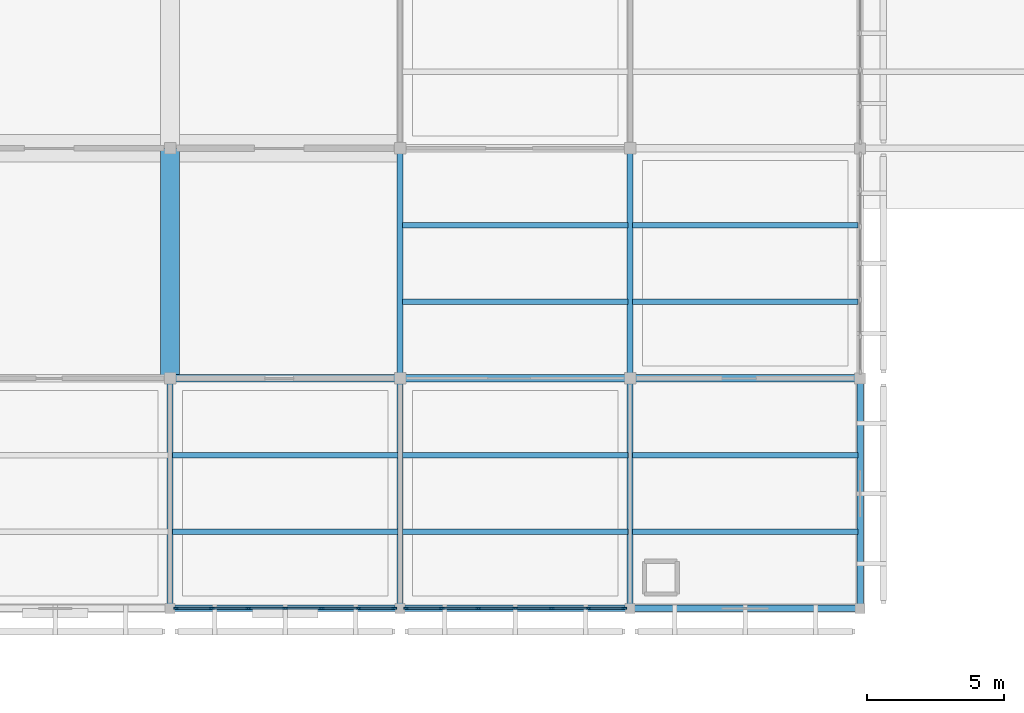
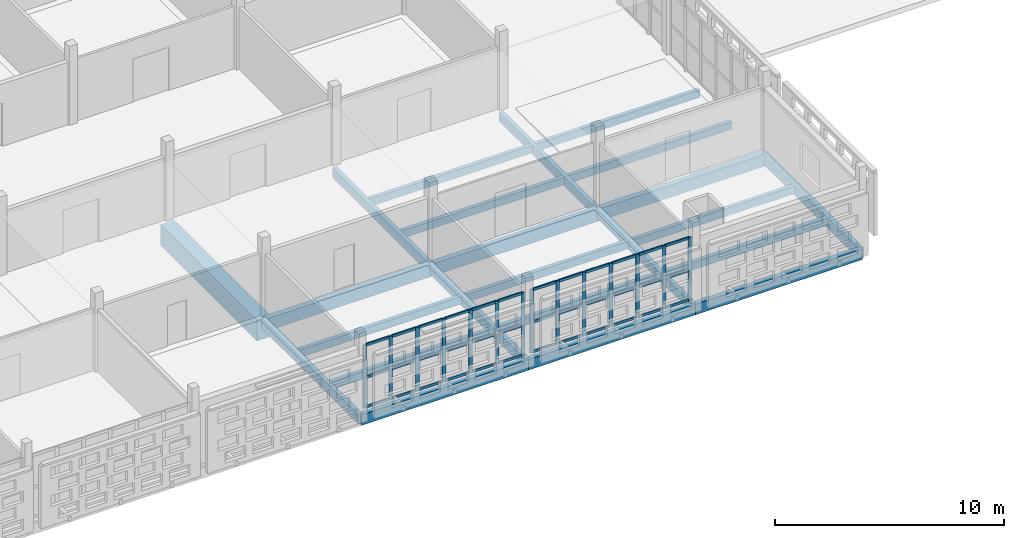
# One storey, part 19 of 166: 50 members, 23 beams, 2 elements without a shape of their own.
"""IFC4 building model written with IfcOpenShell, lengths in metres."""

from ifc_helpers import new_model, si_unit, direction, frame, origin, origin_2d, place, context, subcontext, project, spatial, rectangle, extrude, material, layer, layer_set, material_profile, profile_set, type_object, element, aggregate, save


model = new_model("IFC4")

# Units and contexts
model_context = context("Model", 3, precision=1e-05, world=origin(), true_north=direction((0.0, 1.0)))
body_context = subcontext(model_context, "Body", "Model", "MODEL_VIEW")
ifc_project = project(units=[si_unit("LENGTHUNIT", "METRE"), si_unit("AREAUNIT", "SQUARE_METRE"), si_unit("VOLUMEUNIT", "CUBIC_METRE"), si_unit("PLANEANGLEUNIT", "RADIAN"), si_unit("MASSUNIT", "GRAM", prefix="KILO")], contexts=[model_context])

# Site, building, storey
site_placement = place(None, origin())
site = spatial("IfcSite", under=ifc_project, at=site_placement, CompositionType="ELEMENT")
building_placement = place(site_placement, origin())
building = spatial("IfcBuilding", under=site, at=building_placement, Name="Varnapada Polytechnic", CompositionType="ELEMENT")
storey_placement = place(building_placement, frame((0.0, 0.0, 9.60009765625)))
storey = spatial("IfcBuildingStorey", under=building, at=storey_placement, Name="L02", CompositionType="ELEMENT", Elevation=9.60009765625)

# Beams
ifc_material_1 = material(Name="Concrete C40/50", Category="concrete")
ifc_material_profile_1 = material_profile(ifc_material_1, rectangle(XDim=0.699951171875, YDim=1.10009765625, at=origin_2d()), Name="RC 700x1100")
ifc_profile_set_1 = profile_set([ifc_material_profile_1], Name="Concrete C40/50")
beam_type_1 = type_object("IfcBeamType", Name="Heavy podium primary girder BG-01 (RC 700x1100)", PredefinedType="T_BEAM", material=ifc_profile_set_1)
beam_1_placement = place(storey_placement, frame((33.60009765625, 8.39990234375, -0.800048828125), z_axis=(0.0, 1.0, 0.0), x_axis=(-1.0, 0.0, 0.0)))
element("IfcBeam", 1, at=beam_1_placement, inside=storey, type_object=beam_type_1, Name="L02 Lecture transfer tie Y2-3", PredefinedType="T_BEAM", context=body_context, shape_type="SweptSolid", body=[
    extrude(rectangle(XDim=0.699951171875, YDim=1.10009765625, at=origin_2d()), origin(), (0.0, 0.0, 1.0), 8.400146484375),
])
ifc_material_2 = material(Name="Glulam GL32h", Category="wood")
ifc_material_profile_2 = material_profile(ifc_material_2, rectangle(XDim=0.280029296875, YDim=0.639892578125, at=origin_2d()), Name="GL 280x640")
ifc_profile_set_2 = profile_set([ifc_material_profile_2], Name="Glulam GL32h")
beam_type_2 = type_object("IfcBeamType", Name="Laboratory primary glulam girder GG-02 (GL 280x640)", PredefinedType="BEAM", material=ifc_profile_set_2)
for number, where, z_axis, x_axis, name in (
    (2, (33.60009765625, 8.39990234375, -0.56005859375), (1.0, 0.0, 0.0), (0.0, 1.0, 0.0), "L02 beam X 5-6 at Y2"),
    (3, (42.0, 8.39990234375, -0.56005859375), (1.0, 0.0, 0.0), (0.0, 1.0, 0.0), "L02 beam X 6-7 at Y2"),
):
    element("IfcBeam", number, at=place(storey_placement, frame(where, z_axis=z_axis, x_axis=x_axis)), inside=storey, type_object=beam_type_2, Name=name, PredefinedType="BEAM", context=body_context, shape_type="SweptSolid", body=[
        extrude(rectangle(XDim=0.280029296875, YDim=0.639892578125, at=origin_2d()), origin(), (0.0, 0.0, 1.0), 8.39990234375),
    ])
beam_2_placement = place(storey_placement, frame((50.39990234375, 8.39990234375, -0.56005859375), z_axis=(1.0, 0.0, 0.0), x_axis=(0.0, 1.0, 0.0)))
element("IfcBeam", 4, at=beam_2_placement, inside=storey, type_object=beam_type_2, Name="L02 beam X 7-8 at Y2", PredefinedType="BEAM", context=body_context, shape_type="SweptSolid", body=[
    extrude(rectangle(XDim=0.280029296875, YDim=0.639892578125, at=origin_2d()), origin(), (0.0, 0.0, 1.0), 8.400146484375),
])
ifc_material_profile_3 = material_profile(ifc_material_2, rectangle(XDim=0.219970703125, YDim=0.52001953125, at=origin_2d()), Name="GL 220x520")
ifc_profile_set_3 = profile_set([ifc_material_profile_3], Name="Glulam GL32h")
beam_type_3 = type_object("IfcBeamType", Name="Laboratory transverse glulam beam GB-12 (GL 220x520)", PredefinedType="BEAM", material=ifc_profile_set_3)
for number, where, z_axis, x_axis, name in (
    (5, (33.60009765625, 0.0, -0.5), (0.0, 1.0, 0.0), (-1.0, 0.0, 0.0), "L02 beam Y 1-2 at X5"),
    (6, (42.0, 0.0, -0.5), (0.0, 1.0, 0.0), (-1.0, 0.0, 0.0), "L02 beam Y 1-2 at X6"),
):
    element("IfcBeam", number, at=place(storey_placement, frame(where, z_axis=z_axis, x_axis=x_axis)), inside=storey, type_object=beam_type_3, Name=name, PredefinedType="BEAM", context=body_context, shape_type="SweptSolid", body=[
        extrude(rectangle(XDim=0.219970703125, YDim=0.52001953125, at=origin_2d()), origin(), (0.0, 0.0, 1.0), 8.39990234375),
    ])
beam_3_placement = place(storey_placement, frame((42.0, 8.39990234375, -0.5), z_axis=(0.0, 1.0, 0.0), x_axis=(-1.0, 0.0, 0.0)))
element("IfcBeam", 7, at=beam_3_placement, inside=storey, type_object=beam_type_3, Name="L02 beam Y 2-3 at X6", PredefinedType="BEAM", context=body_context, shape_type="SweptSolid", body=[
    extrude(rectangle(XDim=0.219970703125, YDim=0.52001953125, at=origin_2d()), origin(), (0.0, 0.0, 1.0), 8.400146484375),
])
ifc_material_profile_4 = material_profile(ifc_material_2, rectangle(XDim=0.199951171875, YDim=0.39990234375, at=origin_2d()), Name="GL 200x400")
ifc_profile_set_4 = profile_set([ifc_material_profile_4], Name="Glulam GL32h")
beam_type_4 = type_object("IfcBeamType", Name="Library/laboratory glulam floor joist GJ-01 (GL 200x400)", PredefinedType="JOIST", material=ifc_profile_set_4)
for number, where, z_axis, x_axis, name in (
    (8, (33.679931640625, 2.800048828125, -0.440185546875), (1.0, 0.0, 0.0), (0.0, 1.0, 0.0), "L02 floor joist 5/1.1"),
    (9, (33.679931640625, 5.60009765625, -0.440185546875), (1.0, 0.0, 0.0), (0.0, 1.0, 0.0), "L02 floor joist 5/1.2"),
    (10, (42.080078125, 2.800048828125, -0.440185546875), (1.0, 0.0, 0.0), (0.0, 1.0, 0.0), "L02 floor joist 6/1.1"),
    (11, (42.080078125, 5.60009765625, -0.440185546875), (1.0, 0.0, 0.0), (0.0, 1.0, 0.0), "L02 floor joist 6/1.2"),
    (12, (42.080078125, 11.199951171875, -0.440185546875), (1.0, 0.0, 0.0), (0.0, 1.0, 0.0), "L02 floor joist 6/2.1"),
    (13, (42.080078125, 14.0, -0.440185546875), (1.0, 0.0, 0.0), (0.0, 1.0, 0.0), "L02 floor joist 6/2.2"),
    (14, (50.47998046875, 2.800048828125, -0.440185546875), (1.0, 0.0, 0.0), (0.0, 1.0, 0.0), "L02 floor joist 7/1.1"),
    (15, (50.47998046875, 5.60009765625, -0.440185546875), (1.0, 0.0, 0.0), (0.0, 1.0, 0.0), "L02 floor joist 7/1.2"),
    (16, (50.47998046875, 11.199951171875, -0.440185546875), (1.0, 0.0, 0.0), (0.0, 1.0, 0.0), "L02 floor joist 7/2.1"),
    (17, (50.47998046875, 14.0, -0.440185546875), (1.0, 0.0, 0.0), (0.0, 1.0, 0.0), "L02 floor joist 7/2.2"),
):
    element("IfcBeam", number, at=place(storey_placement, frame(where, z_axis=z_axis, x_axis=x_axis)), inside=storey, type_object=beam_type_4, Name=name, PredefinedType="JOIST", context=body_context, shape_type="SweptSolid", body=[
        extrude(rectangle(XDim=0.199951171875, YDim=0.39990234375, at=origin_2d()), origin(), (0.0, 0.0, 1.0), 8.239990234375),
    ])

# Curtain wall, members
ifc_material_3 = material(Name="Double low-E laminated glass", Category="glass")
ifc_layer = layer(ifc_material_3, 0.179931640625)
ifc_layer_set = layer_set([ifc_layer], Name="Double low-E laminated glass")
curtain_wall_type = type_object("IfcCurtainWallType", Name="Curtain Wall CW-03", PredefinedType="NOTDEFINED", material=ifc_layer_set)
curtain_wall_1_placement = place(storey_placement, origin())
curtain_wall_1 = element("IfcCurtainWall", 18, at=curtain_wall_1_placement, inside=storey, type_object=curtain_wall_type, Name="L02 unitised curtain wall CW-03 (151)", PredefinedType="NOTDEFINED")
ifc_material_4 = material(Name="Anodised aluminium", Category="aluminium")
ifc_material_profile_5 = material_profile(ifc_material_4, rectangle(XDim=0.06494140625, YDim=0.179931640625, at=origin_2d()), Name="ALU M65x180")
ifc_profile_set_5 = profile_set([ifc_material_profile_5], Name="Anodised aluminium")
member_type_1 = type_object("IfcMemberType", Name="Mullion M-02", PredefinedType="MULLION", material=ifc_profile_set_5)
member_1_placement = place(storey_placement, frame((41.78759765625, 0.0, 0.0), z_axis=(0.0, 0.0, 1.0), x_axis=(0.0, -1.0, 0.0)))
member_1 = element("IfcMember", 19, at=member_1_placement, type_object=member_type_1, Name="CW-03 mullion 1", PredefinedType="MULLION", context=body_context, shape_type="SweptSolid", body=[
    extrude(rectangle(XDim=0.06494140625, YDim=0.179931640625, at=origin_2d()), origin(), (0.0, 0.0, 1.0), 3.35986328125),
])
member_2_placement = place(storey_placement, frame((40.47998046875, 0.0, 0.0), z_axis=(0.0, 0.0, 1.0), x_axis=(0.0, -1.0, 0.0)))
member_2 = element("IfcMember", 20, at=member_2_placement, type_object=member_type_1, Name="CW-03 mullion 2", PredefinedType="MULLION", context=body_context, shape_type="SweptSolid", body=[
    extrude(rectangle(XDim=0.06494140625, YDim=0.179931640625, at=origin_2d()), origin(), (0.0, 0.0, 1.0), 3.35986328125),
])
member_3_placement = place(storey_placement, frame((39.139892578125, 0.0, 0.0), z_axis=(0.0, 0.0, 1.0), x_axis=(0.0, -1.0, 0.0)))
member_3 = element("IfcMember", 21, at=member_3_placement, type_object=member_type_1, Name="CW-03 mullion 3", PredefinedType="MULLION", context=body_context, shape_type="SweptSolid", body=[
    extrude(rectangle(XDim=0.06494140625, YDim=0.179931640625, at=origin_2d()), origin(), (0.0, 0.0, 1.0), 3.35986328125),
])
member_4_placement = place(storey_placement, frame((37.800048828125, 0.0, 0.0), z_axis=(0.0, 0.0, 1.0), x_axis=(0.0, -1.0, 0.0)))
member_4 = element("IfcMember", 22, at=member_4_placement, type_object=member_type_1, Name="CW-03 mullion 4", PredefinedType="MULLION", context=body_context, shape_type="SweptSolid", body=[
    extrude(rectangle(XDim=0.06494140625, YDim=0.179931640625, at=origin_2d()), origin(), (0.0, 0.0, 1.0), 3.35986328125),
])
member_5_placement = place(storey_placement, frame((36.4599609375, 0.0, 0.0), z_axis=(0.0, 0.0, 1.0), x_axis=(0.0, -1.0, 0.0)))
member_5 = element("IfcMember", 23, at=member_5_placement, type_object=member_type_1, Name="CW-03 mullion 5", PredefinedType="MULLION", context=body_context, shape_type="SweptSolid", body=[
    extrude(rectangle(XDim=0.06494140625, YDim=0.179931640625, at=origin_2d()), origin(), (0.0, 0.0, 1.0), 3.35986328125),
])
member_6_placement = place(storey_placement, frame((35.1201171875, 0.0, 0.0), z_axis=(0.0, 0.0, 1.0), x_axis=(0.0, -1.0, 0.0)))
member_6 = element("IfcMember", 24, at=member_6_placement, type_object=member_type_1, Name="CW-03 mullion 6", PredefinedType="MULLION", context=body_context, shape_type="SweptSolid", body=[
    extrude(rectangle(XDim=0.06494140625, YDim=0.179931640625, at=origin_2d()), origin(), (0.0, 0.0, 1.0), 3.35986328125),
])
member_7_placement = place(storey_placement, frame((33.8125, 0.0, 0.0), z_axis=(0.0, 0.0, 1.0), x_axis=(0.0, -1.0, 0.0)))
member_7 = element("IfcMember", 25, at=member_7_placement, type_object=member_type_1, Name="CW-03 mullion 7", PredefinedType="MULLION", context=body_context, shape_type="SweptSolid", body=[
    extrude(rectangle(XDim=0.06494140625, YDim=0.179931640625, at=origin_2d()), origin(), (0.0, 0.0, 1.0), 3.35986328125),
])

curtain_wall_2_placement = place(storey_placement, origin())
curtain_wall_2 = element("IfcCurtainWall", 26, at=curtain_wall_2_placement, inside=storey, type_object=curtain_wall_type, Name="L02 unitised curtain wall CW-03 (153)", PredefinedType="NOTDEFINED")
member_8_placement = place(storey_placement, frame((50.1875, 0.0, 0.0), z_axis=(0.0, 0.0, 1.0), x_axis=(0.0, -1.0, 0.0)))
member_8 = element("IfcMember", 27, at=member_8_placement, type_object=member_type_1, Name="CW-03 mullion 1", PredefinedType="MULLION", context=body_context, shape_type="SweptSolid", body=[
    extrude(rectangle(XDim=0.06494140625, YDim=0.179931640625, at=origin_2d()), origin(), (0.0, 0.0, 1.0), 3.35986328125),
])
member_9_placement = place(storey_placement, frame((48.8798828125, 0.0, 0.0), z_axis=(0.0, 0.0, 1.0), x_axis=(0.0, -1.0, 0.0)))
member_9 = element("IfcMember", 28, at=member_9_placement, type_object=member_type_1, Name="CW-03 mullion 2", PredefinedType="MULLION", context=body_context, shape_type="SweptSolid", body=[
    extrude(rectangle(XDim=0.06494140625, YDim=0.179931640625, at=origin_2d()), origin(), (0.0, 0.0, 1.0), 3.35986328125),
])
member_10_placement = place(storey_placement, frame((47.5400390625, 0.0, 0.0), z_axis=(0.0, 0.0, 1.0), x_axis=(0.0, -1.0, 0.0)))
member_10 = element("IfcMember", 29, at=member_10_placement, type_object=member_type_1, Name="CW-03 mullion 3", PredefinedType="MULLION", context=body_context, shape_type="SweptSolid", body=[
    extrude(rectangle(XDim=0.06494140625, YDim=0.179931640625, at=origin_2d()), origin(), (0.0, 0.0, 1.0), 3.35986328125),
])
member_11_placement = place(storey_placement, frame((46.199951171875, 0.0, 0.0), z_axis=(0.0, 0.0, 1.0), x_axis=(0.0, -1.0, 0.0)))
member_11 = element("IfcMember", 30, at=member_11_placement, type_object=member_type_1, Name="CW-03 mullion 4", PredefinedType="MULLION", context=body_context, shape_type="SweptSolid", body=[
    extrude(rectangle(XDim=0.06494140625, YDim=0.179931640625, at=origin_2d()), origin(), (0.0, 0.0, 1.0), 3.35986328125),
])
member_12_placement = place(storey_placement, frame((44.860107421875, 0.0, 0.0), z_axis=(0.0, 0.0, 1.0), x_axis=(0.0, -1.0, 0.0)))
member_12 = element("IfcMember", 31, at=member_12_placement, type_object=member_type_1, Name="CW-03 mullion 5", PredefinedType="MULLION", context=body_context, shape_type="SweptSolid", body=[
    extrude(rectangle(XDim=0.06494140625, YDim=0.179931640625, at=origin_2d()), origin(), (0.0, 0.0, 1.0), 3.35986328125),
])
member_13_placement = place(storey_placement, frame((43.52001953125, 0.0, 0.0), z_axis=(0.0, 0.0, 1.0), x_axis=(0.0, -1.0, 0.0)))
member_13 = element("IfcMember", 32, at=member_13_placement, type_object=member_type_1, Name="CW-03 mullion 6", PredefinedType="MULLION", context=body_context, shape_type="SweptSolid", body=[
    extrude(rectangle(XDim=0.06494140625, YDim=0.179931640625, at=origin_2d()), origin(), (0.0, 0.0, 1.0), 3.35986328125),
])
member_14_placement = place(storey_placement, frame((42.21240234375, 0.0, 0.0), z_axis=(0.0, 0.0, 1.0), x_axis=(0.0, -1.0, 0.0)))
member_14 = element("IfcMember", 33, at=member_14_placement, type_object=member_type_1, Name="CW-03 mullion 7", PredefinedType="MULLION", context=body_context, shape_type="SweptSolid", body=[
    extrude(rectangle(XDim=0.06494140625, YDim=0.179931640625, at=origin_2d()), origin(), (0.0, 0.0, 1.0), 3.35986328125),
])

# Beams
ifc_material_profile_6 = material_profile(ifc_material_2, rectangle(XDim=0.239990234375, YDim=0.56005859375, at=origin_2d()), Name="GL 240x560")
ifc_profile_set_6 = profile_set([ifc_material_profile_6], Name="Glulam GL32h")
beam_type_5 = type_object("IfcBeamType", Name="Perimeter glulam spandrel beam SP-02 (GL 240x560)", PredefinedType="SPANDREL", material=ifc_profile_set_6)
for number, where, z_axis, x_axis, name in (
    (34, (33.60009765625, 0.0, -0.52001953125), (1.0, 0.0, 0.0), (0.0, 1.0, 0.0), "L02 beam X 5-6 at Y1"),
    (35, (42.0, 0.0, -0.52001953125), (1.0, 0.0, 0.0), (0.0, 1.0, 0.0), "L02 beam X 6-7 at Y1"),
):
    element("IfcBeam", number, at=place(storey_placement, frame(where, z_axis=z_axis, x_axis=x_axis)), inside=storey, type_object=beam_type_5, Name=name, PredefinedType="SPANDREL", context=body_context, shape_type="SweptSolid", body=[
        extrude(rectangle(XDim=0.239990234375, YDim=0.56005859375, at=origin_2d()), origin(), (0.0, 0.0, 1.0), 8.39990234375),
    ])
beam_4_placement = place(storey_placement, frame((50.39990234375, 0.0, -0.52001953125), z_axis=(1.0, 0.0, 0.0), x_axis=(0.0, 1.0, 0.0)))
element("IfcBeam", 36, at=beam_4_placement, inside=storey, type_object=beam_type_5, Name="L02 beam X 7-8 at Y1", PredefinedType="SPANDREL", context=body_context, shape_type="SweptSolid", body=[
    extrude(rectangle(XDim=0.239990234375, YDim=0.56005859375, at=origin_2d()), origin(), (0.0, 0.0, 1.0), 8.400146484375),
])
beam_5_placement = place(storey_placement, frame((58.800048828125, 0.0, -0.52001953125), z_axis=(0.0, 1.0, 0.0), x_axis=(-1.0, 0.0, 0.0)))
element("IfcBeam", 37, at=beam_5_placement, inside=storey, type_object=beam_type_5, Name="L02 beam Y 1-2 at X8", PredefinedType="SPANDREL", context=body_context, shape_type="SweptSolid", body=[
    extrude(rectangle(XDim=0.239990234375, YDim=0.56005859375, at=origin_2d()), origin(), (0.0, 0.0, 1.0), 8.39990234375),
])

# Member
ifc_material_profile_7 = material_profile(ifc_material_4, rectangle(XDim=0.06494140625, YDim=0.139892578125, at=origin_2d()), Name="ALU T65x140")
ifc_profile_set_7 = profile_set([ifc_material_profile_7], Name="Anodised aluminium")
member_type_2 = type_object("IfcMemberType", Name="Transom T-02", PredefinedType="USERDEFINED", material=ifc_profile_set_7)
member_15_placement = place(storey_placement, frame((41.7548828125, 0.0, 0.032470703125), z_axis=(-1.0, 0.0, 0.0), x_axis=(0.0, -1.0, 0.0)))
member_15 = element("IfcMember", 38, at=member_15_placement, type_object=member_type_2, Name="CW-03 transom 1.1", ObjectType="TRANSOM", PredefinedType="USERDEFINED", context=body_context, shape_type="SweptSolid", body=[
    extrude(rectangle(XDim=0.06494140625, YDim=0.139892578125, at=origin_2d()), origin(), (0.0, 0.0, 1.0), 1.242431640625),
])

member_16_placement = place(storey_placement, frame((41.7548828125, 0.0, 1.61279296875), z_axis=(-1.0, 0.0, 0.0), x_axis=(0.0, -1.0, 0.0)))
member_16 = element("IfcMember", 39, at=member_16_placement, type_object=member_type_2, Name="CW-03 transom 1.2", ObjectType="TRANSOM", PredefinedType="USERDEFINED", context=body_context, shape_type="SweptSolid", body=[
    extrude(rectangle(XDim=0.06494140625, YDim=0.139892578125, at=origin_2d()), origin(), (0.0, 0.0, 1.0), 1.242431640625),
])

member_17_placement = place(storey_placement, frame((41.7548828125, 0.0, 3.327392578125), z_axis=(-1.0, 0.0, 0.0), x_axis=(0.0, -1.0, 0.0)))
member_17 = element("IfcMember", 40, at=member_17_placement, type_object=member_type_2, Name="CW-03 transom 1.3", ObjectType="TRANSOM", PredefinedType="USERDEFINED", context=body_context, shape_type="SweptSolid", body=[
    extrude(rectangle(XDim=0.06494140625, YDim=0.139892578125, at=origin_2d()), origin(), (0.0, 0.0, 1.0), 1.242431640625),
])

member_18_placement = place(storey_placement, frame((40.447509765625, 0.0, 0.032470703125), z_axis=(-1.0, 0.0, 0.0), x_axis=(0.0, -1.0, 0.0)))
member_18 = element("IfcMember", 41, at=member_18_placement, type_object=member_type_2, Name="CW-03 transom 2.1", ObjectType="TRANSOM", PredefinedType="USERDEFINED", context=body_context, shape_type="SweptSolid", body=[
    extrude(rectangle(XDim=0.06494140625, YDim=0.139892578125, at=origin_2d()), origin(), (0.0, 0.0, 1.0), 1.27490234375),
])

member_19_placement = place(storey_placement, frame((40.447509765625, 0.0, 1.61279296875), z_axis=(-1.0, 0.0, 0.0), x_axis=(0.0, -1.0, 0.0)))
member_19 = element("IfcMember", 42, at=member_19_placement, type_object=member_type_2, Name="CW-03 transom 2.2", ObjectType="TRANSOM", PredefinedType="USERDEFINED", context=body_context, shape_type="SweptSolid", body=[
    extrude(rectangle(XDim=0.06494140625, YDim=0.139892578125, at=origin_2d()), origin(), (0.0, 0.0, 1.0), 1.27490234375),
])

member_20_placement = place(storey_placement, frame((40.447509765625, 0.0, 3.327392578125), z_axis=(-1.0, 0.0, 0.0), x_axis=(0.0, -1.0, 0.0)))
member_20 = element("IfcMember", 43, at=member_20_placement, type_object=member_type_2, Name="CW-03 transom 2.3", ObjectType="TRANSOM", PredefinedType="USERDEFINED", context=body_context, shape_type="SweptSolid", body=[
    extrude(rectangle(XDim=0.06494140625, YDim=0.139892578125, at=origin_2d()), origin(), (0.0, 0.0, 1.0), 1.27490234375),
])

member_21_placement = place(storey_placement, frame((39.107421875, 0.0, 0.032470703125), z_axis=(-1.0, 0.0, 0.0), x_axis=(0.0, -1.0, 0.0)))
member_21 = element("IfcMember", 44, at=member_21_placement, type_object=member_type_2, Name="CW-03 transom 3.1", ObjectType="TRANSOM", PredefinedType="USERDEFINED", context=body_context, shape_type="SweptSolid", body=[
    extrude(rectangle(XDim=0.06494140625, YDim=0.139892578125, at=origin_2d()), origin(), (0.0, 0.0, 1.0), 1.27490234375),
])

member_22_placement = place(storey_placement, frame((39.107421875, 0.0, 1.61279296875), z_axis=(-1.0, 0.0, 0.0), x_axis=(0.0, -1.0, 0.0)))
member_22 = element("IfcMember", 45, at=member_22_placement, type_object=member_type_2, Name="CW-03 transom 3.2", ObjectType="TRANSOM", PredefinedType="USERDEFINED", context=body_context, shape_type="SweptSolid", body=[
    extrude(rectangle(XDim=0.06494140625, YDim=0.139892578125, at=origin_2d()), origin(), (0.0, 0.0, 1.0), 1.27490234375),
])

member_23_placement = place(storey_placement, frame((39.107421875, 0.0, 3.327392578125), z_axis=(-1.0, 0.0, 0.0), x_axis=(0.0, -1.0, 0.0)))
member_23 = element("IfcMember", 46, at=member_23_placement, type_object=member_type_2, Name="CW-03 transom 3.3", ObjectType="TRANSOM", PredefinedType="USERDEFINED", context=body_context, shape_type="SweptSolid", body=[
    extrude(rectangle(XDim=0.06494140625, YDim=0.139892578125, at=origin_2d()), origin(), (0.0, 0.0, 1.0), 1.27490234375),
])

member_24_placement = place(storey_placement, frame((37.767578125, 0.0, 0.032470703125), z_axis=(-1.0, 0.0, 0.0), x_axis=(0.0, -1.0, 0.0)))
member_24 = element("IfcMember", 47, at=member_24_placement, type_object=member_type_2, Name="CW-03 transom 4.1", ObjectType="TRANSOM", PredefinedType="USERDEFINED", context=body_context, shape_type="SweptSolid", body=[
    extrude(rectangle(XDim=0.06494140625, YDim=0.139892578125, at=origin_2d()), origin(), (0.0, 0.0, 1.0), 1.275146484375),
])

member_25_placement = place(storey_placement, frame((37.767578125, 0.0, 1.61279296875), z_axis=(-1.0, 0.0, 0.0), x_axis=(0.0, -1.0, 0.0)))
member_25 = element("IfcMember", 48, at=member_25_placement, type_object=member_type_2, Name="CW-03 transom 4.2", ObjectType="TRANSOM", PredefinedType="USERDEFINED", context=body_context, shape_type="SweptSolid", body=[
    extrude(rectangle(XDim=0.06494140625, YDim=0.139892578125, at=origin_2d()), origin(), (0.0, 0.0, 1.0), 1.275146484375),
])

member_26_placement = place(storey_placement, frame((37.767578125, 0.0, 3.327392578125), z_axis=(-1.0, 0.0, 0.0), x_axis=(0.0, -1.0, 0.0)))
member_26 = element("IfcMember", 49, at=member_26_placement, type_object=member_type_2, Name="CW-03 transom 4.3", ObjectType="TRANSOM", PredefinedType="USERDEFINED", context=body_context, shape_type="SweptSolid", body=[
    extrude(rectangle(XDim=0.06494140625, YDim=0.139892578125, at=origin_2d()), origin(), (0.0, 0.0, 1.0), 1.275146484375),
])

member_27_placement = place(storey_placement, frame((36.427490234375, 0.0, 0.032470703125), z_axis=(-1.0, 0.0, 0.0), x_axis=(0.0, -1.0, 0.0)))
member_27 = element("IfcMember", 50, at=member_27_placement, type_object=member_type_2, Name="CW-03 transom 5.1", ObjectType="TRANSOM", PredefinedType="USERDEFINED", context=body_context, shape_type="SweptSolid", body=[
    extrude(rectangle(XDim=0.06494140625, YDim=0.139892578125, at=origin_2d()), origin(), (0.0, 0.0, 1.0), 1.27490234375),
])

member_28_placement = place(storey_placement, frame((36.427490234375, 0.0, 1.61279296875), z_axis=(-1.0, 0.0, 0.0), x_axis=(0.0, -1.0, 0.0)))
member_28 = element("IfcMember", 51, at=member_28_placement, type_object=member_type_2, Name="CW-03 transom 5.2", ObjectType="TRANSOM", PredefinedType="USERDEFINED", context=body_context, shape_type="SweptSolid", body=[
    extrude(rectangle(XDim=0.06494140625, YDim=0.139892578125, at=origin_2d()), origin(), (0.0, 0.0, 1.0), 1.27490234375),
])

member_29_placement = place(storey_placement, frame((36.427490234375, 0.0, 3.327392578125), z_axis=(-1.0, 0.0, 0.0), x_axis=(0.0, -1.0, 0.0)))
member_29 = element("IfcMember", 52, at=member_29_placement, type_object=member_type_2, Name="CW-03 transom 5.3", ObjectType="TRANSOM", PredefinedType="USERDEFINED", context=body_context, shape_type="SweptSolid", body=[
    extrude(rectangle(XDim=0.06494140625, YDim=0.139892578125, at=origin_2d()), origin(), (0.0, 0.0, 1.0), 1.27490234375),
])

member_30_placement = place(storey_placement, frame((35.08740234375, 0.0, 0.032470703125), z_axis=(-1.0, 0.0, 0.0), x_axis=(0.0, -1.0, 0.0)))
member_30 = element("IfcMember", 53, at=member_30_placement, type_object=member_type_2, Name="CW-03 transom 6.1", ObjectType="TRANSOM", PredefinedType="USERDEFINED", context=body_context, shape_type="SweptSolid", body=[
    extrude(rectangle(XDim=0.06494140625, YDim=0.139892578125, at=origin_2d()), origin(), (0.0, 0.0, 1.0), 1.242431640625),
])

member_31_placement = place(storey_placement, frame((35.08740234375, 0.0, 1.61279296875), z_axis=(-1.0, 0.0, 0.0), x_axis=(0.0, -1.0, 0.0)))
member_31 = element("IfcMember", 54, at=member_31_placement, type_object=member_type_2, Name="CW-03 transom 6.2", ObjectType="TRANSOM", PredefinedType="USERDEFINED", context=body_context, shape_type="SweptSolid", body=[
    extrude(rectangle(XDim=0.06494140625, YDim=0.139892578125, at=origin_2d()), origin(), (0.0, 0.0, 1.0), 1.242431640625),
])

member_32_placement = place(storey_placement, frame((35.08740234375, 0.0, 3.327392578125), z_axis=(-1.0, 0.0, 0.0), x_axis=(0.0, -1.0, 0.0)))
member_32 = element("IfcMember", 55, at=member_32_placement, type_object=member_type_2, Name="CW-03 transom 6.3", ObjectType="TRANSOM", PredefinedType="USERDEFINED", context=body_context, shape_type="SweptSolid", body=[
    extrude(rectangle(XDim=0.06494140625, YDim=0.139892578125, at=origin_2d()), origin(), (0.0, 0.0, 1.0), 1.242431640625),
])

aggregate(curtain_wall_1, [member_1, member_2, member_3, member_4, member_5, member_6, member_7, member_15, member_16, member_17, member_18, member_19, member_20, member_21, member_22, member_23, member_24, member_25, member_26, member_27, member_28, member_29, member_30, member_31, member_32])

member_33_placement = place(storey_placement, frame((50.155029296875, 0.0, 0.032470703125), z_axis=(-1.0, 0.0, 0.0), x_axis=(0.0, -1.0, 0.0)))
member_33 = element("IfcMember", 56, at=member_33_placement, type_object=member_type_2, Name="CW-03 transom 1.1", ObjectType="TRANSOM", PredefinedType="USERDEFINED", context=body_context, shape_type="SweptSolid", body=[
    extrude(rectangle(XDim=0.06494140625, YDim=0.139892578125, at=origin_2d()), origin(), (0.0, 0.0, 1.0), 1.242431640625),
])

member_34_placement = place(storey_placement, frame((50.155029296875, 0.0, 1.61279296875), z_axis=(-1.0, 0.0, 0.0), x_axis=(0.0, -1.0, 0.0)))
member_34 = element("IfcMember", 57, at=member_34_placement, type_object=member_type_2, Name="CW-03 transom 1.2", ObjectType="TRANSOM", PredefinedType="USERDEFINED", context=body_context, shape_type="SweptSolid", body=[
    extrude(rectangle(XDim=0.06494140625, YDim=0.139892578125, at=origin_2d()), origin(), (0.0, 0.0, 1.0), 1.242431640625),
])

member_35_placement = place(storey_placement, frame((50.155029296875, 0.0, 3.327392578125), z_axis=(-1.0, 0.0, 0.0), x_axis=(0.0, -1.0, 0.0)))
member_35 = element("IfcMember", 58, at=member_35_placement, type_object=member_type_2, Name="CW-03 transom 1.3", ObjectType="TRANSOM", PredefinedType="USERDEFINED", context=body_context, shape_type="SweptSolid", body=[
    extrude(rectangle(XDim=0.06494140625, YDim=0.139892578125, at=origin_2d()), origin(), (0.0, 0.0, 1.0), 1.242431640625),
])

member_36_placement = place(storey_placement, frame((48.847412109375, 0.0, 0.032470703125), z_axis=(-1.0, 0.0, 0.0), x_axis=(0.0, -1.0, 0.0)))
member_36 = element("IfcMember", 59, at=member_36_placement, type_object=member_type_2, Name="CW-03 transom 2.1", ObjectType="TRANSOM", PredefinedType="USERDEFINED", context=body_context, shape_type="SweptSolid", body=[
    extrude(rectangle(XDim=0.06494140625, YDim=0.139892578125, at=origin_2d()), origin(), (0.0, 0.0, 1.0), 1.27490234375),
])

member_37_placement = place(storey_placement, frame((48.847412109375, 0.0, 1.61279296875), z_axis=(-1.0, 0.0, 0.0), x_axis=(0.0, -1.0, 0.0)))
member_37 = element("IfcMember", 60, at=member_37_placement, type_object=member_type_2, Name="CW-03 transom 2.2", ObjectType="TRANSOM", PredefinedType="USERDEFINED", context=body_context, shape_type="SweptSolid", body=[
    extrude(rectangle(XDim=0.06494140625, YDim=0.139892578125, at=origin_2d()), origin(), (0.0, 0.0, 1.0), 1.27490234375),
])

member_38_placement = place(storey_placement, frame((48.847412109375, 0.0, 3.327392578125), z_axis=(-1.0, 0.0, 0.0), x_axis=(0.0, -1.0, 0.0)))
member_38 = element("IfcMember", 61, at=member_38_placement, type_object=member_type_2, Name="CW-03 transom 2.3", ObjectType="TRANSOM", PredefinedType="USERDEFINED", context=body_context, shape_type="SweptSolid", body=[
    extrude(rectangle(XDim=0.06494140625, YDim=0.139892578125, at=origin_2d()), origin(), (0.0, 0.0, 1.0), 1.27490234375),
])

member_39_placement = place(storey_placement, frame((47.507568359375, 0.0, 0.032470703125), z_axis=(-1.0, 0.0, 0.0), x_axis=(0.0, -1.0, 0.0)))
member_39 = element("IfcMember", 62, at=member_39_placement, type_object=member_type_2, Name="CW-03 transom 3.1", ObjectType="TRANSOM", PredefinedType="USERDEFINED", context=body_context, shape_type="SweptSolid", body=[
    extrude(rectangle(XDim=0.06494140625, YDim=0.139892578125, at=origin_2d()), origin(), (0.0, 0.0, 1.0), 1.275146484375),
])

member_40_placement = place(storey_placement, frame((47.507568359375, 0.0, 1.61279296875), z_axis=(-1.0, 0.0, 0.0), x_axis=(0.0, -1.0, 0.0)))
member_40 = element("IfcMember", 63, at=member_40_placement, type_object=member_type_2, Name="CW-03 transom 3.2", ObjectType="TRANSOM", PredefinedType="USERDEFINED", context=body_context, shape_type="SweptSolid", body=[
    extrude(rectangle(XDim=0.06494140625, YDim=0.139892578125, at=origin_2d()), origin(), (0.0, 0.0, 1.0), 1.275146484375),
])

member_41_placement = place(storey_placement, frame((47.507568359375, 0.0, 3.327392578125), z_axis=(-1.0, 0.0, 0.0), x_axis=(0.0, -1.0, 0.0)))
member_41 = element("IfcMember", 64, at=member_41_placement, type_object=member_type_2, Name="CW-03 transom 3.3", ObjectType="TRANSOM", PredefinedType="USERDEFINED", context=body_context, shape_type="SweptSolid", body=[
    extrude(rectangle(XDim=0.06494140625, YDim=0.139892578125, at=origin_2d()), origin(), (0.0, 0.0, 1.0), 1.275146484375),
])

member_42_placement = place(storey_placement, frame((46.16748046875, 0.0, 0.032470703125), z_axis=(-1.0, 0.0, 0.0), x_axis=(0.0, -1.0, 0.0)))
member_42 = element("IfcMember", 65, at=member_42_placement, type_object=member_type_2, Name="CW-03 transom 4.1", ObjectType="TRANSOM", PredefinedType="USERDEFINED", context=body_context, shape_type="SweptSolid", body=[
    extrude(rectangle(XDim=0.06494140625, YDim=0.139892578125, at=origin_2d()), origin(), (0.0, 0.0, 1.0), 1.27490234375),
])

member_43_placement = place(storey_placement, frame((46.16748046875, 0.0, 1.61279296875), z_axis=(-1.0, 0.0, 0.0), x_axis=(0.0, -1.0, 0.0)))
member_43 = element("IfcMember", 66, at=member_43_placement, type_object=member_type_2, Name="CW-03 transom 4.2", ObjectType="TRANSOM", PredefinedType="USERDEFINED", context=body_context, shape_type="SweptSolid", body=[
    extrude(rectangle(XDim=0.06494140625, YDim=0.139892578125, at=origin_2d()), origin(), (0.0, 0.0, 1.0), 1.27490234375),
])

member_44_placement = place(storey_placement, frame((46.16748046875, 0.0, 3.327392578125), z_axis=(-1.0, 0.0, 0.0), x_axis=(0.0, -1.0, 0.0)))
member_44 = element("IfcMember", 67, at=member_44_placement, type_object=member_type_2, Name="CW-03 transom 4.3", ObjectType="TRANSOM", PredefinedType="USERDEFINED", context=body_context, shape_type="SweptSolid", body=[
    extrude(rectangle(XDim=0.06494140625, YDim=0.139892578125, at=origin_2d()), origin(), (0.0, 0.0, 1.0), 1.27490234375),
])

member_45_placement = place(storey_placement, frame((44.827392578125, 0.0, 0.032470703125), z_axis=(-1.0, 0.0, 0.0), x_axis=(0.0, -1.0, 0.0)))
member_45 = element("IfcMember", 68, at=member_45_placement, type_object=member_type_2, Name="CW-03 transom 5.1", ObjectType="TRANSOM", PredefinedType="USERDEFINED", context=body_context, shape_type="SweptSolid", body=[
    extrude(rectangle(XDim=0.06494140625, YDim=0.139892578125, at=origin_2d()), origin(), (0.0, 0.0, 1.0), 1.27490234375),
])

member_46_placement = place(storey_placement, frame((44.827392578125, 0.0, 1.61279296875), z_axis=(-1.0, 0.0, 0.0), x_axis=(0.0, -1.0, 0.0)))
member_46 = element("IfcMember", 69, at=member_46_placement, type_object=member_type_2, Name="CW-03 transom 5.2", ObjectType="TRANSOM", PredefinedType="USERDEFINED", context=body_context, shape_type="SweptSolid", body=[
    extrude(rectangle(XDim=0.06494140625, YDim=0.139892578125, at=origin_2d()), origin(), (0.0, 0.0, 1.0), 1.27490234375),
])

member_47_placement = place(storey_placement, frame((44.827392578125, 0.0, 3.327392578125), z_axis=(-1.0, 0.0, 0.0), x_axis=(0.0, -1.0, 0.0)))
member_47 = element("IfcMember", 70, at=member_47_placement, type_object=member_type_2, Name="CW-03 transom 5.3", ObjectType="TRANSOM", PredefinedType="USERDEFINED", context=body_context, shape_type="SweptSolid", body=[
    extrude(rectangle(XDim=0.06494140625, YDim=0.139892578125, at=origin_2d()), origin(), (0.0, 0.0, 1.0), 1.27490234375),
])

member_48_placement = place(storey_placement, frame((43.487548828125, 0.0, 0.032470703125), z_axis=(-1.0, 0.0, 0.0), x_axis=(0.0, -1.0, 0.0)))
member_48 = element("IfcMember", 71, at=member_48_placement, type_object=member_type_2, Name="CW-03 transom 6.1", ObjectType="TRANSOM", PredefinedType="USERDEFINED", context=body_context, shape_type="SweptSolid", body=[
    extrude(rectangle(XDim=0.06494140625, YDim=0.139892578125, at=origin_2d()), origin(), (0.0, 0.0, 1.0), 1.242431640625),
])

member_49_placement = place(storey_placement, frame((43.487548828125, 0.0, 1.61279296875), z_axis=(-1.0, 0.0, 0.0), x_axis=(0.0, -1.0, 0.0)))
member_49 = element("IfcMember", 72, at=member_49_placement, type_object=member_type_2, Name="CW-03 transom 6.2", ObjectType="TRANSOM", PredefinedType="USERDEFINED", context=body_context, shape_type="SweptSolid", body=[
    extrude(rectangle(XDim=0.06494140625, YDim=0.139892578125, at=origin_2d()), origin(), (0.0, 0.0, 1.0), 1.242431640625),
])

member_50_placement = place(storey_placement, frame((43.487548828125, 0.0, 3.327392578125), z_axis=(-1.0, 0.0, 0.0), x_axis=(0.0, -1.0, 0.0)))
member_50 = element("IfcMember", 73, at=member_50_placement, type_object=member_type_2, Name="CW-03 transom 6.3", ObjectType="TRANSOM", PredefinedType="USERDEFINED", context=body_context, shape_type="SweptSolid", body=[
    extrude(rectangle(XDim=0.06494140625, YDim=0.139892578125, at=origin_2d()), origin(), (0.0, 0.0, 1.0), 1.242431640625),
])

aggregate(curtain_wall_2, [member_8, member_9, member_10, member_11, member_12, member_13, member_14, member_33, member_34, member_35, member_36, member_37, member_38, member_39, member_40, member_41, member_42, member_43, member_44, member_45, member_46, member_47, member_48, member_49, member_50])

# Beams
ifc_material_profile_8 = material_profile(ifc_material_2, rectangle(XDim=0.219970703125, YDim=0.47998046875, at=origin_2d()), Name="GL 220x480")
ifc_profile_set_8 = profile_set([ifc_material_profile_8], Name="Glulam GL32h")
beam_type_6 = type_object("IfcBeamType", Name="Upper floor glulam tie beam GB-11 (GL 220x480)", PredefinedType="BEAM", material=ifc_profile_set_8)
beam_6_placement = place(storey_placement, frame((50.39990234375, 0.0, -0.47998046875), z_axis=(0.0, 1.0, 0.0), x_axis=(-1.0, 0.0, 0.0)))
element("IfcBeam", 74, at=beam_6_placement, inside=storey, type_object=beam_type_6, Name="L02 beam Y 1-2 at X7", PredefinedType="BEAM", context=body_context, shape_type="SweptSolid", body=[
    extrude(rectangle(XDim=0.219970703125, YDim=0.47998046875, at=origin_2d()), origin(), (0.0, 0.0, 1.0), 8.39990234375),
])
beam_7_placement = place(storey_placement, frame((50.39990234375, 8.39990234375, -0.47998046875), z_axis=(0.0, 1.0, 0.0), x_axis=(-1.0, 0.0, 0.0)))
element("IfcBeam", 75, at=beam_7_placement, inside=storey, type_object=beam_type_6, Name="L02 beam Y 2-3 at X7", PredefinedType="BEAM", context=body_context, shape_type="SweptSolid", body=[
    extrude(rectangle(XDim=0.219970703125, YDim=0.47998046875, at=origin_2d()), origin(), (0.0, 0.0, 1.0), 8.400146484375),
])

save(model, "model.ifc")
